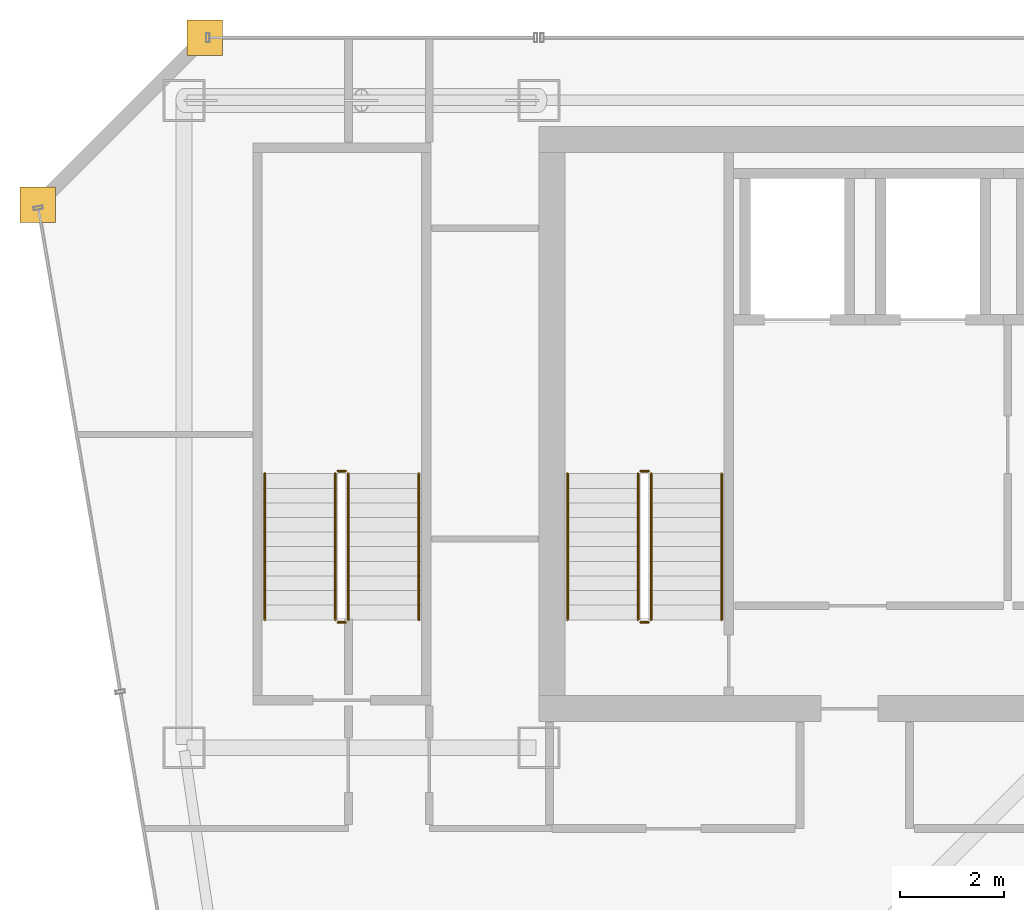
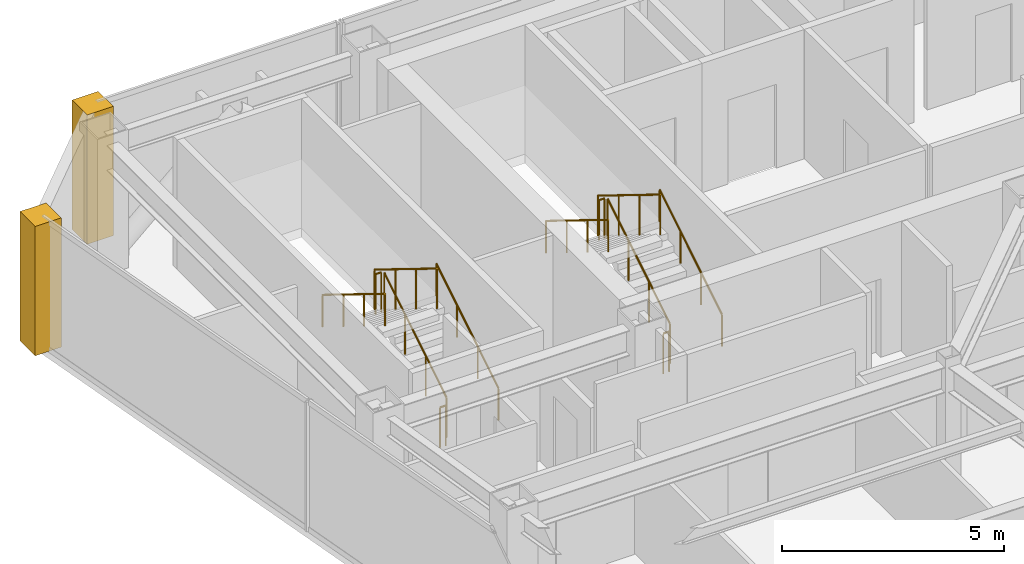
# One storey, part 35 of 36: 12 railings, 2 coverings.
"""IFC4 building model written with IfcOpenShell, lengths in metres."""

from ifc_helpers import new_model, si_unit, direction, frame, origin, origin_2d, place, context, subcontext, project, spatial, polyline, circle, outline, extrude, material, layer, layer_set, type_object, element, save


model = new_model("IFC4")

# Units and contexts
model_context = context("Model", 3, precision=1e-05, world=origin(), true_north=direction((0.0, 1.0)))
body_context = subcontext(model_context, "Body", "Model", "MODEL_VIEW")
ifc_project = project(units=[si_unit("LENGTHUNIT", "METRE"), si_unit("AREAUNIT", "SQUARE_METRE"), si_unit("VOLUMEUNIT", "CUBIC_METRE"), si_unit("PLANEANGLEUNIT", "RADIAN"), si_unit("MASSUNIT", "GRAM", prefix="KILO")], contexts=[model_context])

# Site, building, storey
site_placement = place(None, origin())
site = spatial("IfcSite", under=ifc_project, at=site_placement, CompositionType="ELEMENT")
building_placement = place(site_placement, origin())
building = spatial("IfcBuilding", under=site, at=building_placement, Name="Saevonmaru Cultural Tower", CompositionType="ELEMENT")
storey_placement = place(building_placement, frame((0.0, 0.0, 201.800048828125)))
storey = spatial("IfcBuildingStorey", under=building, at=storey_placement, Name="L46", CompositionType="ELEMENT", Elevation=201.800048828125)

# Coverings
ifc_material_1 = material(Name="Satin Bronze Anodised Aluminium", Category="aluminium")
ifc_layer = layer(ifc_material_1, 0.679931640625, Name="Satin Bronze Anodised Aluminium")
ifc_layer_set = layer_set([ifc_layer], Name="Satin Bronze Anodised Aluminium")
covering_type = type_object("IfcCoveringType", Name="CV-CORNER-CLAD", PredefinedType="CLADDING", material=ifc_layer_set)
covering_1_placement = place(storey_placement, origin())
element("IfcCovering", 1, at=covering_1_placement, inside=storey, type_object=covering_type, Name="L46 Tower Bronze Corner Cladding Pier 11", PredefinedType="CLADDING", context=body_context, shape_type="SweptSolid", body=[
    extrude(outline(polyline([(6.860107421875, 55.659912109375), (7.5400390625, 55.659912109375), (7.5400390625, 56.340087890625), (6.860107421875, 56.340087890625), (6.860107421875, 55.659912109375)])), origin(), (0.0, 0.0, 1.0), 3.550048828125),
])
covering_2_placement = place(storey_placement, origin())
element("IfcCovering", 2, at=covering_2_placement, inside=storey, type_object=covering_type, Name="L46 Tower Bronze Corner Cladding Pier 12", PredefinedType="CLADDING", context=body_context, shape_type="SweptSolid", body=[
    extrude(outline(polyline([(3.659912109375, 52.4599609375), (4.340087890625, 52.4599609375), (4.340087890625, 53.139892578125), (3.659912109375, 53.139892578125), (3.659912109375, 52.4599609375)])), origin(), (0.0, 0.0, 1.0), 3.550048828125),
])

# Railings
ifc_material_2 = material(Name="Architectural Painted Steel", Category="steel")
railing_type_1 = type_object("IfcRailingType", Name="RL-STAIR-GUARD", PredefinedType="GUARDRAIL", material=ifc_material_2)
railing_1_placement = place(storey_placement, frame((15.75, 44.85009765625, 0.172607421875)))
element("IfcRailing", 3, at=railing_1_placement, inside=storey, type_object=railing_type_1, Name="L46 ST-1 stair guard 1", PredefinedType="GUARDRAIL", context=body_context, shape_type="SweptSolid", body=[
    extrude(circle(Radius=0.02392578125, at=origin_2d()), frame((0.0, 0.0, 1.09619140625), z_axis=(0.0, 0.851069175582, 0.525053576669), x_axis=(-1.0, 0.0, 0.0)), (0.0, 0.0, 1.0), 3.289794921875),
    extrude(circle(Radius=0.02099609375, at=origin_2d()), origin(), (0.0, 0.0, 1.0), 1.072021484375),
    extrude(circle(Radius=0.02099609375, at=origin_2d()), frame((0.0, 0.933349609375, 0.57568359375)), (0.0, 0.0, 1.0), 1.072021484375),
    extrude(circle(Radius=0.02099609375, at=origin_2d()), frame((0.0, 1.866455078125, 1.151611328125)), (0.0, 0.0, 1.0), 1.072021484375),
    extrude(circle(Radius=0.02099609375, at=origin_2d()), frame((0.0, 2.7998046875, 1.727294921875)), (0.0, 0.0, 1.0), 1.072021484375),
])
railing_2_placement = place(storey_placement, frame((15.699951171875, 47.699951171875, 1.89990234375)))
element("IfcRailing", 4, at=railing_2_placement, inside=storey, type_object=railing_type_1, Name="L46 ST-1 stair guard 2", PredefinedType="GUARDRAIL", context=body_context, shape_type="SweptSolid", body=[
    extrude(circle(Radius=0.02392578125, at=origin_2d()), frame((0.0, 0.0, 1.09619140625), z_axis=(-1.0, 0.0, 0.0), x_axis=(0.0, -1.0, 0.0)), (0.0, 0.0, 1.0), 0.14990234375),
    extrude(circle(Radius=0.02099609375, at=origin_2d()), origin(), (0.0, 0.0, 1.0), 1.072021484375),
    extrude(circle(Radius=0.02099609375, at=origin_2d()), frame((-0.14990234375, 0.0, 0.0)), (0.0, 0.0, 1.0), 1.072021484375),
])
railing_3_placement = place(storey_placement, frame((15.5, 47.64990234375, 2.07275390625)))
element("IfcRailing", 5, at=railing_3_placement, inside=storey, type_object=railing_type_1, Name="L46 ST-1 stair guard 3", PredefinedType="GUARDRAIL", context=body_context, shape_type="SweptSolid", body=[
    extrude(circle(Radius=0.02392578125, at=origin_2d()), frame((0.0, 0.0, 1.09619140625), z_axis=(0.0, -0.851069175582, 0.525053576669), x_axis=(1.0, 0.0, 0.0)), (0.0, 0.0, 1.0), 3.289794921875),
    extrude(circle(Radius=0.02099609375, at=origin_2d()), origin(), (0.0, 0.0, 1.0), 1.072021484375),
    extrude(circle(Radius=0.02099609375, at=origin_2d()), frame((0.0, -0.933349609375, 0.57568359375)), (0.0, 0.0, 1.0), 1.072021484375),
    extrude(circle(Radius=0.02099609375, at=origin_2d()), frame((0.0, -1.866455078125, 1.151611328125)), (0.0, 0.0, 1.0), 1.072021484375),
    extrude(circle(Radius=0.02099609375, at=origin_2d()), frame((0.0, -2.7998046875, 1.727294921875)), (0.0, 0.0, 1.0), 1.072021484375),
])
railing_4_placement = place(storey_placement, frame((15.699951171875, 44.800048828125, 0.0)))
element("IfcRailing", 6, at=railing_4_placement, inside=storey, type_object=railing_type_1, Name="L46 ST-1 stair guard 4", PredefinedType="GUARDRAIL", context=body_context, shape_type="SweptSolid", body=[
    extrude(circle(Radius=0.02392578125, at=origin_2d()), frame((0.0, 0.0, 1.09619140625), z_axis=(-1.0, 0.0, 0.0), x_axis=(0.0, -1.0, 0.0)), (0.0, 0.0, 1.0), 0.14990234375),
    extrude(circle(Radius=0.02099609375, at=origin_2d()), origin(), (0.0, 0.0, 1.0), 1.072021484375),
    extrude(circle(Radius=0.02099609375, at=origin_2d()), frame((-0.14990234375, 0.0, 0.0)), (0.0, 0.0, 1.0), 1.072021484375),
])
railing_5_placement = place(storey_placement, frame((9.949951171875, 44.85009765625, 0.172607421875)))
element("IfcRailing", 7, at=railing_5_placement, inside=storey, type_object=railing_type_1, Name="L46 ST-3 stair guard 1", PredefinedType="GUARDRAIL", context=body_context, shape_type="SweptSolid", body=[
    extrude(circle(Radius=0.02392578125, at=origin_2d()), frame((0.0, 0.0, 1.09619140625), z_axis=(0.0, 0.851069175582, 0.525053576669), x_axis=(-1.0, 0.0, 0.0)), (0.0, 0.0, 1.0), 3.289794921875),
    extrude(circle(Radius=0.02099609375, at=origin_2d()), origin(), (0.0, 0.0, 1.0), 1.072021484375),
    extrude(circle(Radius=0.02099609375, at=origin_2d()), frame((0.0, 0.933349609375, 0.57568359375)), (0.0, 0.0, 1.0), 1.072021484375),
    extrude(circle(Radius=0.02099609375, at=origin_2d()), frame((0.0, 1.866455078125, 1.151611328125)), (0.0, 0.0, 1.0), 1.072021484375),
    extrude(circle(Radius=0.02099609375, at=origin_2d()), frame((0.0, 2.7998046875, 1.727294921875)), (0.0, 0.0, 1.0), 1.072021484375),
])
railing_6_placement = place(storey_placement, frame((9.89990234375, 47.699951171875, 1.89990234375)))
element("IfcRailing", 8, at=railing_6_placement, inside=storey, type_object=railing_type_1, Name="L46 ST-3 stair guard 2", PredefinedType="GUARDRAIL", context=body_context, shape_type="SweptSolid", body=[
    extrude(circle(Radius=0.02392578125, at=origin_2d()), frame((0.0, 0.0, 1.09619140625), z_axis=(-1.0, 0.0, 0.0), x_axis=(0.0, -1.0, 0.0)), (0.0, 0.0, 1.0), 0.14990234375),
    extrude(circle(Radius=0.02099609375, at=origin_2d()), origin(), (0.0, 0.0, 1.0), 1.072021484375),
    extrude(circle(Radius=0.02099609375, at=origin_2d()), frame((-0.14990234375, 0.0, 0.0)), (0.0, 0.0, 1.0), 1.072021484375),
])
railing_7_placement = place(storey_placement, frame((9.699951171875, 47.64990234375, 2.07275390625)))
element("IfcRailing", 9, at=railing_7_placement, inside=storey, type_object=railing_type_1, Name="L46 ST-3 stair guard 3", PredefinedType="GUARDRAIL", context=body_context, shape_type="SweptSolid", body=[
    extrude(circle(Radius=0.02392578125, at=origin_2d()), frame((0.0, 0.0, 1.09619140625), z_axis=(0.0, -0.851069175582, 0.525053576669), x_axis=(1.0, 0.0, 0.0)), (0.0, 0.0, 1.0), 3.289794921875),
    extrude(circle(Radius=0.02099609375, at=origin_2d()), origin(), (0.0, 0.0, 1.0), 1.072021484375),
    extrude(circle(Radius=0.02099609375, at=origin_2d()), frame((0.0, -0.933349609375, 0.57568359375)), (0.0, 0.0, 1.0), 1.072021484375),
    extrude(circle(Radius=0.02099609375, at=origin_2d()), frame((0.0, -1.866455078125, 1.151611328125)), (0.0, 0.0, 1.0), 1.072021484375),
    extrude(circle(Radius=0.02099609375, at=origin_2d()), frame((0.0, -2.7998046875, 1.727294921875)), (0.0, 0.0, 1.0), 1.072021484375),
])
railing_8_placement = place(storey_placement, frame((9.89990234375, 44.800048828125, 0.0)))
element("IfcRailing", 10, at=railing_8_placement, inside=storey, type_object=railing_type_1, Name="L46 ST-3 stair guard 4", PredefinedType="GUARDRAIL", context=body_context, shape_type="SweptSolid", body=[
    extrude(circle(Radius=0.02392578125, at=origin_2d()), frame((0.0, 0.0, 1.09619140625), z_axis=(-1.0, 0.0, 0.0), x_axis=(0.0, -1.0, 0.0)), (0.0, 0.0, 1.0), 0.14990234375),
    extrude(circle(Radius=0.02099609375, at=origin_2d()), origin(), (0.0, 0.0, 1.0), 1.072021484375),
    extrude(circle(Radius=0.02099609375, at=origin_2d()), frame((-0.14990234375, 0.0, 0.0)), (0.0, 0.0, 1.0), 1.072021484375),
])
railing_type_2 = type_object("IfcRailingType", Name="RL-STAIR-HANDRAIL", PredefinedType="HANDRAIL", material=ifc_material_1)
railing_9_placement = place(storey_placement, frame((17.10009765625, 44.85009765625, 0.172607421875)))
element("IfcRailing", 11, at=railing_9_placement, inside=storey, type_object=railing_type_2, Name="L46 ST-1 stair handrail 1", PredefinedType="HANDRAIL", context=body_context, shape_type="SweptSolid", body=[
    extrude(circle(Radius=0.02392578125, at=origin_2d()), frame((0.0, 0.0, 0.8759765625), z_axis=(0.0, 0.851069175582, 0.525053576669), x_axis=(-1.0, 0.0, 0.0)), (0.0, 0.0, 1.0), 3.289794921875),
    extrude(circle(Radius=0.02099609375, at=origin_2d()), origin(), (0.0, 0.0, 1.0), 0.851806640625),
    extrude(circle(Radius=0.02099609375, at=origin_2d()), frame((0.0, 0.933349609375, 0.57568359375)), (0.0, 0.0, 1.0), 0.851806640625),
    extrude(circle(Radius=0.02099609375, at=origin_2d()), frame((0.0, 1.866455078125, 1.151611328125)), (0.0, 0.0, 1.0), 0.851806640625),
    extrude(circle(Radius=0.02099609375, at=origin_2d()), frame((0.0, 2.7998046875, 1.727294921875)), (0.0, 0.0, 1.0), 0.851806640625),
])
railing_10_placement = place(storey_placement, frame((14.14990234375, 47.64990234375, 2.07275390625)))
element("IfcRailing", 12, at=railing_10_placement, inside=storey, type_object=railing_type_2, Name="L46 ST-1 stair handrail 2", PredefinedType="HANDRAIL", context=body_context, shape_type="SweptSolid", body=[
    extrude(circle(Radius=0.02392578125, at=origin_2d()), frame((0.0, 0.0, 0.8759765625), z_axis=(0.0, -0.851069175582, 0.525053576669), x_axis=(1.0, 0.0, 0.0)), (0.0, 0.0, 1.0), 3.289794921875),
    extrude(circle(Radius=0.02099609375, at=origin_2d()), origin(), (0.0, 0.0, 1.0), 0.851806640625),
    extrude(circle(Radius=0.02099609375, at=origin_2d()), frame((0.0, -0.933349609375, 0.57568359375)), (0.0, 0.0, 1.0), 0.851806640625),
    extrude(circle(Radius=0.02099609375, at=origin_2d()), frame((0.0, -1.866455078125, 1.151611328125)), (0.0, 0.0, 1.0), 0.851806640625),
    extrude(circle(Radius=0.02099609375, at=origin_2d()), frame((0.0, -2.7998046875, 1.727294921875)), (0.0, 0.0, 1.0), 0.851806640625),
])
railing_11_placement = place(storey_placement, frame((11.300048828125, 44.85009765625, 0.172607421875)))
element("IfcRailing", 13, at=railing_11_placement, inside=storey, type_object=railing_type_2, Name="L46 ST-3 stair handrail 1", PredefinedType="HANDRAIL", context=body_context, shape_type="SweptSolid", body=[
    extrude(circle(Radius=0.02392578125, at=origin_2d()), frame((0.0, 0.0, 0.8759765625), z_axis=(0.0, 0.851069175582, 0.525053576669), x_axis=(-1.0, 0.0, 0.0)), (0.0, 0.0, 1.0), 3.289794921875),
    extrude(circle(Radius=0.02099609375, at=origin_2d()), origin(), (0.0, 0.0, 1.0), 0.851806640625),
    extrude(circle(Radius=0.02099609375, at=origin_2d()), frame((0.0, 0.933349609375, 0.57568359375)), (0.0, 0.0, 1.0), 0.851806640625),
    extrude(circle(Radius=0.02099609375, at=origin_2d()), frame((0.0, 1.866455078125, 1.151611328125)), (0.0, 0.0, 1.0), 0.851806640625),
    extrude(circle(Radius=0.02099609375, at=origin_2d()), frame((0.0, 2.7998046875, 1.727294921875)), (0.0, 0.0, 1.0), 0.851806640625),
])
railing_12_placement = place(storey_placement, frame((8.35009765625, 47.64990234375, 2.07275390625)))
element("IfcRailing", 14, at=railing_12_placement, inside=storey, type_object=railing_type_2, Name="L46 ST-3 stair handrail 2", PredefinedType="HANDRAIL", context=body_context, shape_type="SweptSolid", body=[
    extrude(circle(Radius=0.02392578125, at=origin_2d()), frame((0.0, 0.0, 0.8759765625), z_axis=(0.0, -0.851069175582, 0.525053576669), x_axis=(1.0, 0.0, 0.0)), (0.0, 0.0, 1.0), 3.289794921875),
    extrude(circle(Radius=0.02099609375, at=origin_2d()), origin(), (0.0, 0.0, 1.0), 0.851806640625),
    extrude(circle(Radius=0.02099609375, at=origin_2d()), frame((0.0, -0.933349609375, 0.57568359375)), (0.0, 0.0, 1.0), 0.851806640625),
    extrude(circle(Radius=0.02099609375, at=origin_2d()), frame((0.0, -1.866455078125, 1.151611328125)), (0.0, 0.0, 1.0), 0.851806640625),
    extrude(circle(Radius=0.02099609375, at=origin_2d()), frame((0.0, -2.7998046875, 1.727294921875)), (0.0, 0.0, 1.0), 0.851806640625),
])

save(model, "model.ifc")
